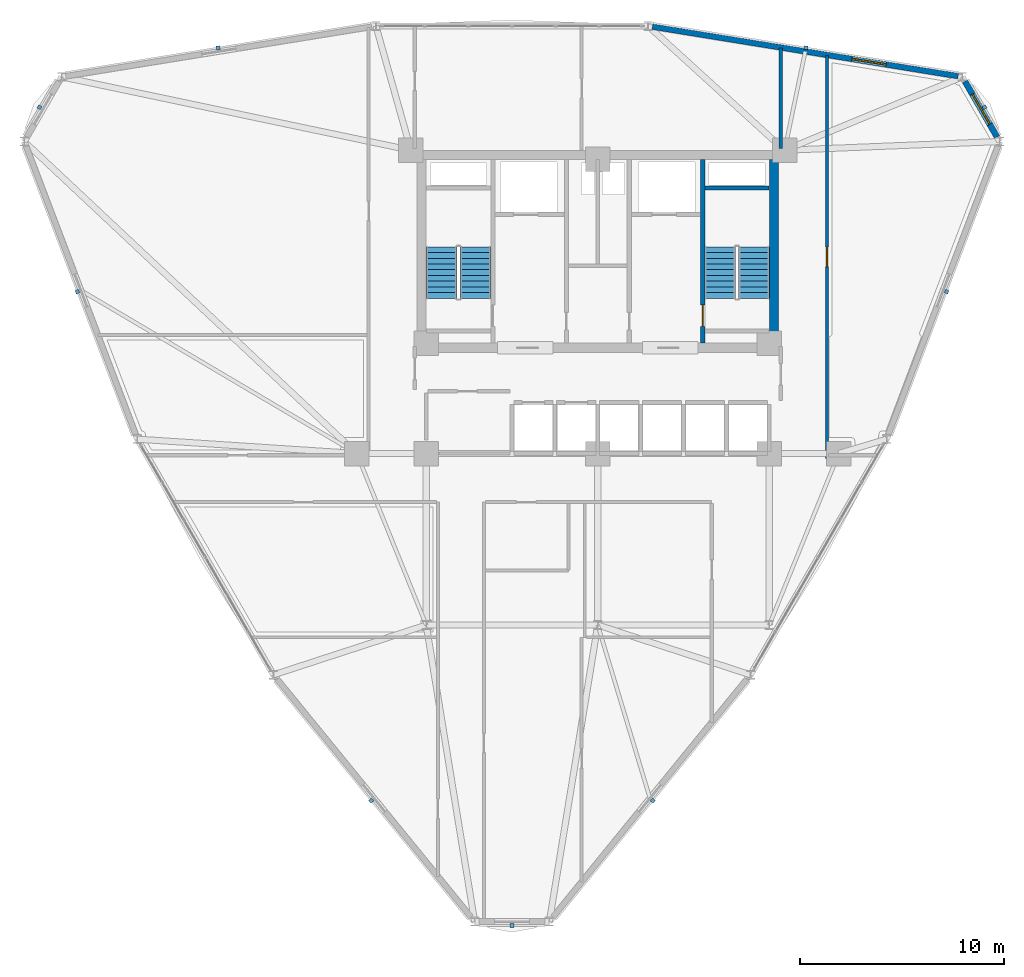
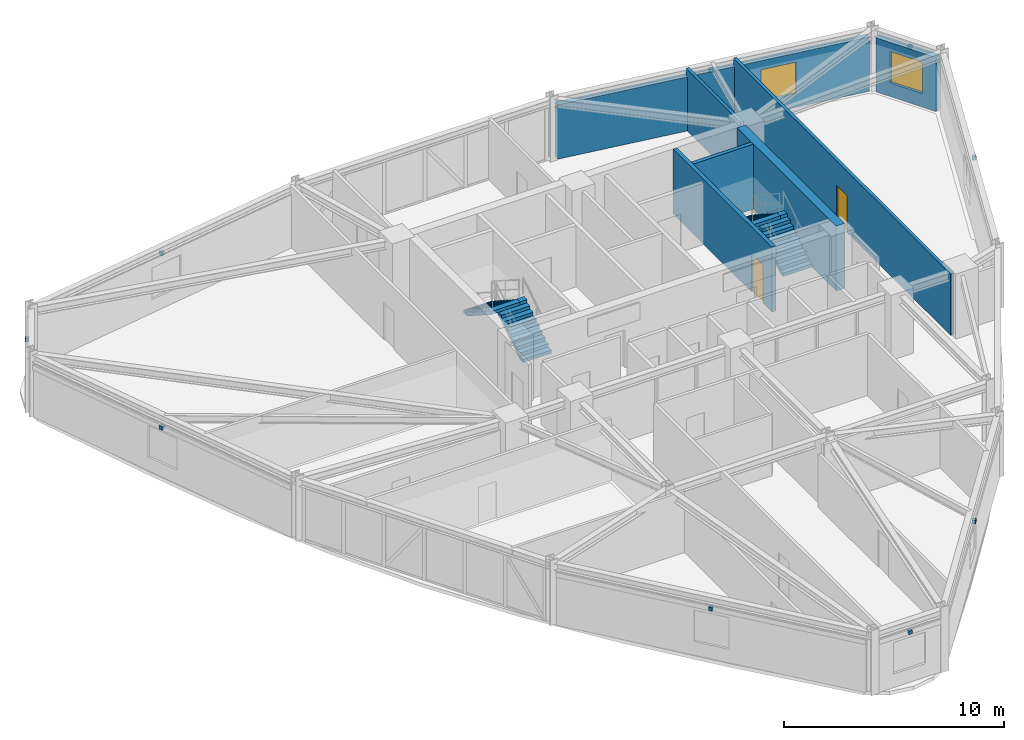
# One storey, part 14 of 18: 9 discrete accessories, 7 walls, 4 stair flights, 2 doors, 2 windows, 4 openings, 2 elements without a shape of their own.
"""IFC4 building model written with IfcOpenShell, lengths in metres."""

from ifc_helpers import new_model, si_unit, derived_unit, direction, frame, frame_2d, origin, origin_2d, place, context, subcontext, project, spatial, polyline, rectangle, outline, extrude, source, transform, mapped, material, layer, layer_set, type_object, element, fill, aggregate, save


model = new_model("IFC4")

# Units and contexts
model_context = context("Model", 3, precision=1e-05, world=origin(), true_north=direction((0.0, 1.0)))
body_context = subcontext(model_context, "Body", "Model", "MODEL_VIEW")
ifc_project = project(units=[si_unit("LENGTHUNIT", "METRE"), si_unit("AREAUNIT", "SQUARE_METRE"), si_unit("VOLUMEUNIT", "CUBIC_METRE"), si_unit("PLANEANGLEUNIT", "RADIAN"), si_unit("MASSUNIT", "GRAM", prefix="KILO"), derived_unit("THERMALTRANSMITTANCEUNIT", [(si_unit("POWERUNIT", "WATT"), 1), (si_unit("LENGTHUNIT", "METRE"), -2), (si_unit("THERMODYNAMICTEMPERATUREUNIT", "KELVIN"), -1)])], contexts=[model_context])

# Site, building, storey
site_placement = place(None, origin())
site = spatial("IfcSite", under=ifc_project, at=site_placement, CompositionType="ELEMENT")
building_placement = place(site_placement, origin())
building = spatial("IfcBuilding", under=site, at=building_placement, Name="Korsvarv Bourse and Concert Hall", CompositionType="ELEMENT")
storey_placement = place(building_placement, frame((0.0, 0.0, 139.800048828125)))
storey = spatial("IfcBuildingStorey", under=building, at=storey_placement, Name="L35", CompositionType="ELEMENT", Elevation=139.800048828125)

# Wall, opening, door
ifc_material_1 = material(Name="Concrete C50/60", Category="concrete")
ifc_layer_1 = layer(ifc_material_1, 0.3798828125)
ifc_layer_set_1 = layer_set([ifc_layer_1], Name="Concrete C50/60")
wall_type_1 = type_object("IfcWallType", Name="WL-CORE-380", PredefinedType="SHEAR", material=ifc_layer_set_1)
wall_1_placement = place(storey_placement, frame((41.139892578125, 37.81005859375, 0.0), z_axis=(0.0, 0.0, 1.0), x_axis=(0.0, 1.0, 0.0)))
wall_1 = element("IfcWall", 1, at=wall_1_placement, inside=storey, type_object=wall_type_1, Name="L35 stair shaft structural wall W-L35-ST2-W", PredefinedType="SHEAR", context=body_context, shape_type="SweptSolid", body=[
    extrude(rectangle(XDim=8.97998046875, YDim=0.199951171875, at=frame_2d((4.489990234375, 0.0))), origin(), (0.0, 0.0, 1.0), 3.599853515625),
])
opening_1_placement = place(wall_1_placement, frame((0.820068359375, 0.0, 0.0)))
opening_1 = element("IfcOpeningElement", 2, at=opening_1_placement, cuts=wall_1, Name="Opening D-01", PredefinedType="OPENING", context=body_context, shape_type="SweptSolid", body=[
    extrude(rectangle(XDim=1.050048828125, YDim=2.10009765625, at=frame_2d((0.52490234375, 1.050048828125))), frame((0.0, 0.10986328125, 0.0), z_axis=(0.0, -1.0, 0.0), x_axis=(1.0, 0.0, 0.0)), (0.0, 0.0, 1.0), 0.219970703125),
])
ifc_material_2 = material(Name="Steel S355 fire door", Category="steel")
door_type_1 = type_object("IfcDoorType", Name="DR-FD60", OperationType="NOTDEFINED", PredefinedType="DOOR", material=ifc_material_2)
door_1_placement = place(opening_1_placement, frame((1.050048828125, 0.0, 0.0), z_axis=(0.0, 0.0, 1.0), x_axis=(-1.0, 0.0, 0.0)))
door_1 = element("IfcDoor", 3, at=door_1_placement, inside=storey, type_object=door_type_1, Name="L35 interior door DR-L35-ST2", OperationType="SINGLE_SWING_RIGHT", OverallHeight=2.10009765625, OverallWidth=1.050048828125, PredefinedType="DOOR", context=body_context, shape_type="SweptSolid", body=[
    extrude(rectangle(XDim=1.050048828125, YDim=2.10009765625, at=frame_2d((0.52490234375, 1.050048828125))), frame((0.0, 0.02490234375, 0.0), z_axis=(0.0, -1.0, 0.0), x_axis=(1.0, 0.0, 0.0)), (0.0, 0.0, 1.0), 0.050048828125),
])
fill(opening_1, door_1)

# Walls
wall_2_placement = place(storey_placement, frame((41.25, 45.39990234375, 0.0), z_axis=(0.0, 0.0, 1.0), x_axis=(1.0, 0.0, 0.0)))
element("IfcWall", 4, at=wall_2_placement, inside=storey, type_object=wall_type_1, Name="L35 stair shaft structural wall W-L35-ST2-N", PredefinedType="SHEAR", context=body_context, shape_type="SweptSolid", body=[
    extrude(rectangle(XDim=3.139892578125, YDim=0.199951171875, at=frame_2d((1.56982421875, 0.0))), origin(), (0.0, 0.0, 1.0), 3.599853515625),
])
ifc_material_3 = material(Name="Concrete C55/67", Category="concrete")
ifc_layer_2 = layer(ifc_material_3, 0.449951171875)
ifc_layer_set_2 = layer_set([ifc_layer_2], Name="Concrete C55/67")
wall_type_2 = type_object("IfcWallType", Name="WL-CORE-450", PredefinedType="SHEAR", material=ifc_layer_set_2)
wall_3_placement = place(storey_placement, frame((44.625, 37.800048828125, 0.0), z_axis=(0.0, 0.0, 1.0), x_axis=(0.0, 1.0, 0.0)))
element("IfcWall", 5, at=wall_3_placement, inside=storey, type_object=wall_type_2, Name="L35 East Core Shear Wall", PredefinedType="SHEAR", context=body_context, shape_type="SweptSolid", body=[
    extrude(rectangle(XDim=9.0, YDim=0.449951171875, at=frame_2d((4.5, 0.0))), origin(), (0.0, 0.0, 1.0), 3.599853515625),
])

# Wall, opening, window
ifc_material_4 = material(Name="Precast concrete C45/55 with terracotta rainscreen", Category="concrete")
ifc_layer_3 = layer(ifc_material_4, 0.300048828125)
ifc_layer_set_3 = layer_set([ifc_layer_3], Name="Precast concrete C45/55 with terracotta rainscreen")
wall_type_3 = type_object("IfcWallType", Name="WL-EXT-TC1", PredefinedType="SOLIDWALL", material=ifc_layer_set_3)
wall_4_placement = place(storey_placement, frame((55.5576171875, 47.900390625, 0.0), z_axis=(0.0, 0.0, 1.0), x_axis=(-0.499937459732, 0.866061508414, 0.0)))
wall_4 = element("IfcWall", 6, at=wall_4_placement, inside=storey, type_object=wall_type_3, Name="L35 terracotta exterior wall EW-L35-B01", PredefinedType="SOLIDWALL", context=body_context, shape_type="SweptSolid", body=[
    extrude(rectangle(XDim=3.1455078125, YDim=0.300048828125, at=frame_2d((1.57275390625, 0.0))), origin(), (0.0, 0.0, 1.0), 3.0),
])
opening_2_placement = place(wall_4_placement, frame((0.72265625, 0.0, 0.75)))
opening_2 = element("IfcOpeningElement", 7, at=opening_2_placement, cuts=wall_4, Name="Opening W-01", PredefinedType="OPENING", context=body_context, shape_type="SweptSolid", body=[
    extrude(rectangle(XDim=1.699951171875, YDim=1.75, at=frame_2d((0.85009765625, 0.875))), frame((0.0, 0.16015625, 0.0), z_axis=(0.0, -1.0, 0.0), x_axis=(1.0, 0.0, 0.0)), (0.0, 0.0, 1.0), 0.320068359375),
])
ifc_material_5 = material(Name="Thermally broken aluminium frame with triple low-E glass", Category="glass")
window_type = type_object("IfcWindowType", Name="WIN-TW1", PartitioningType="SINGLE_PANEL", PredefinedType="WINDOW", material=ifc_material_5)
window_1_placement = place(opening_2_placement, origin())
window_1 = element("IfcWindow", 8, at=window_1_placement, inside=storey, type_object=window_type, Name="L35 punched facade window W-01", OverallHeight=1.75, OverallWidth=1.699951171875, PartitioningType="SINGLE_PANEL", PredefinedType="WINDOW", context=body_context, shape_type="SweptSolid", body=[
    extrude(rectangle(XDim=1.699951171875, YDim=1.75, at=frame_2d((0.85009765625, 0.875))), frame((0.0, 0.030029296875, 0.0), z_axis=(0.0, -1.0, 0.0), x_axis=(1.0, 0.0, 0.0)), (0.0, 0.0, 1.0), 0.06005859375),
])
fill(opening_2, window_1)

ifc_material_6 = material(Name="Precast concrete C45/55 with fluted terracotta pier", Category="concrete")
ifc_layer_4 = layer(ifc_material_6, 0.280029296875)
ifc_layer_set_4 = layer_set([ifc_layer_4], Name="Precast concrete C45/55 with fluted terracotta pier")
wall_type_4 = type_object("IfcWallType", Name="WL-EXT-TC2", PredefinedType="SOLIDWALL", material=ifc_layer_set_4)
wall_5_placement = place(storey_placement, frame((53.6455078125, 50.881103515625, 0.0), z_axis=(0.0, 0.0, 1.0), x_axis=(-0.987165905884, 0.159698072185, 0.0)))
wall_5 = element("IfcWall", 9, at=wall_5_placement, inside=storey, type_object=wall_type_4, Name="L35 terracotta exterior wall EW-L35-B02", PredefinedType="SOLIDWALL", context=body_context, shape_type="SweptSolid", body=[
    extrude(rectangle(XDim=15.165283203125, YDim=0.280029296875, at=frame_2d((7.58251953125, 0.0))), origin(), (0.0, 0.0, 1.0), 3.0),
])
opening_3_placement = place(wall_5_placement, frame((3.56640625, 0.0, 0.75)))
opening_3 = element("IfcOpeningElement", 10, at=opening_3_placement, cuts=wall_5, Name="Opening W-01", PredefinedType="OPENING", context=body_context, shape_type="SweptSolid", body=[
    extrude(rectangle(XDim=1.699951171875, YDim=1.75, at=frame_2d((0.85009765625, 0.875))), frame((0.0, 0.14990234375, 0.0), z_axis=(0.0, -1.0, 0.0), x_axis=(1.0, 0.0, 0.0)), (0.0, 0.0, 1.0), 0.300048828125),
])
window_2_placement = place(opening_3_placement, origin())
window_2 = element("IfcWindow", 11, at=window_2_placement, inside=storey, type_object=window_type, Name="L35 punched facade window W-01", OverallHeight=1.75, OverallWidth=1.699951171875, PartitioningType="SINGLE_PANEL", PredefinedType="WINDOW", context=body_context, shape_type="SweptSolid", body=[
    extrude(rectangle(XDim=1.699951171875, YDim=1.75, at=frame_2d((0.85009765625, 0.875))), frame((0.0, 0.030029296875, 0.0), z_axis=(0.0, -1.0, 0.0), x_axis=(1.0, 0.0, 0.0)), (0.0, 0.0, 1.0), 0.06005859375),
])
fill(opening_3, window_2)

# Wall, opening, door
ifc_material_7 = material(Name="Double-stud fire-rated acoustic partition", Category="gypsum")
ifc_layer_5 = layer(ifc_material_7, 0.159912109375)
ifc_layer_set_5 = layer_set([ifc_layer_5], Name="Double-stud fire-rated acoustic partition")
wall_type_5 = type_object("IfcWallType", Name="WL-INT-EI60", PredefinedType="PARTITIONING", material=ifc_layer_set_5)
wall_6_placement = place(storey_placement, frame((47.22509765625, 32.159912109375, 0.0), z_axis=(0.0, 0.0, 1.0), x_axis=(0.0, 1.0, 0.0)))
wall_6 = element("IfcWall", 12, at=wall_6_placement, inside=storey, type_object=wall_type_5, Name="L35 interior partition wall W-L35-TCOR-03", PredefinedType="PARTITIONING", context=body_context, shape_type="SweptSolid", body=[
    extrude(rectangle(XDim=19.73974609375, YDim=0.159912109375, at=frame_2d((9.869873046875, 0.0))), origin(), (0.0, 0.0, 1.0), 3.39990234375),
])
opening_4_placement = place(wall_6_placement, frame((9.39501953125, 0.0, 0.0)))
opening_4 = element("IfcOpeningElement", 13, at=opening_4_placement, cuts=wall_6, Name="Opening D-02", PredefinedType="OPENING", context=body_context, shape_type="SweptSolid", body=[
    extrude(rectangle(XDim=0.949951171875, YDim=2.050048828125, at=frame_2d((0.47509765625, 1.02490234375))), frame((0.0, 0.08984375, 0.0), z_axis=(0.0, -1.0, 0.0), x_axis=(1.0, 0.0, 0.0)), (0.0, 0.0, 1.0), 0.179931640625),
])
ifc_material_8 = material(Name="Timber and steel acoustic fire door", Category="wood")
door_type_2 = type_object("IfcDoorType", Name="DR-FD30", OperationType="NOTDEFINED", PredefinedType="DOOR", material=ifc_material_8)
door_2_placement = place(opening_4_placement, origin())
door_2 = element("IfcDoor", 14, at=door_2_placement, inside=storey, type_object=door_type_2, Name="L35 interior door DR-L35-TCOR-MI81", OperationType="SINGLE_SWING_RIGHT", OverallHeight=2.050048828125, OverallWidth=0.949951171875, PredefinedType="DOOR", context=body_context, shape_type="SweptSolid", body=[
    extrude(rectangle(XDim=0.949951171875, YDim=2.050048828125, at=frame_2d((0.47509765625, 1.02490234375))), frame((0.0, 0.02490234375, 0.0), z_axis=(0.0, -1.0, 0.0), x_axis=(1.0, 0.0, 0.0)), (0.0, 0.0, 1.0), 0.050048828125),
])
fill(opening_4, door_2)

# Wall
wall_7_placement = place(storey_placement, frame((44.965087890625, 47.340087890625, 0.0), z_axis=(0.0, 0.0, 1.0), x_axis=(0.0, 1.0, 0.0)))
element("IfcWall", 15, at=wall_7_placement, inside=storey, type_object=wall_type_5, Name="L35 interior partition wall W-L35-TCOR-10", PredefinedType="PARTITIONING", context=body_context, shape_type="SweptSolid", body=[
    extrude(rectangle(XDim=4.92529296875, YDim=0.159912109375, at=frame_2d((2.462646484375, 0.0))), origin(), (0.0, 0.0, 1.0), 3.39990234375),
])

# Stair, stair flights
ifc_material_9 = material(Name="Precast concrete C45/55", Category="concrete")
stair_type = type_object("IfcStairType", Name="STR-TYPE-04", PredefinedType="HALF_TURN_STAIR", material=ifc_material_9)
stair_1_placement = place(storey_placement, origin())
stair_1 = element("IfcStair", 16, at=stair_1_placement, inside=storey, type_object=stair_type, Name="L35 Tower West Exit Stair ST-T1", PredefinedType="HALF_TURN_STAIR")
stair_flight_type = type_object("IfcStairFlightType", Name="FLT-TYPE-04", PredefinedType="STRAIGHT", material=ifc_material_9)
stair_flight_1_placement = place(storey_placement, frame((30.010009765625, 40.0, 0.0), z_axis=(0.0, 0.0, 1.0), x_axis=(0.0, 1.0, 0.0)))
stair_flight_1 = element("IfcStairFlight", 17, at=stair_flight_1_placement, type_object=stair_flight_type, Name="ST-T1 flight 1", NumberOfRisers=10, NumberOfTreads=9, PredefinedType="STRAIGHT", RiserHeight=0.18, TreadLength=0.28, context=body_context, shape_type="SweptSolid", body=[
    extrude(outline(polyline([(0.0, 0.0), (0.0, 0.179931640625), (0.280029296875, 0.179931640625), (0.280029296875, 0.360107421875), (0.56005859375, 0.360107421875), (0.56005859375, 0.5400390625), (0.840087890625, 0.5400390625), (0.840087890625, 0.719970703125), (1.1201171875, 0.719970703125), (1.1201171875, 0.89990234375), (1.39990234375, 0.89990234375), (1.39990234375, 1.080078125), (1.679931640625, 1.080078125), (1.679931640625, 1.260009765625), (1.9599609375, 1.260009765625), (1.9599609375, 1.43994140625), (2.239990234375, 1.43994140625), (2.239990234375, 1.6201171875), (2.52001953125, 1.6201171875), (2.52001953125, 1.800048828125), (2.52001953125, 1.44189453125), (0.277099609375, 0.0), (0.0, 0.0)])), frame((0.0, 0.75, 0.0), z_axis=(0.0, -1.0, 0.0), x_axis=(1.0, 0.0, 0.0)), (0.0, 0.0, 1.0), 1.5),
])
stair_flight_2_placement = place(storey_placement, frame((28.35009765625, 42.52001953125, 1.800048828125), z_axis=(0.0, 0.0, 1.0), x_axis=(0.0, -1.0, 0.0)))
stair_flight_2 = element("IfcStairFlight", 18, at=stair_flight_2_placement, type_object=stair_flight_type, Name="ST-T1 flight 2", NumberOfRisers=10, NumberOfTreads=9, PredefinedType="STRAIGHT", RiserHeight=0.18, TreadLength=0.28, context=body_context, shape_type="SweptSolid", body=[
    extrude(outline(polyline([(0.0, 0.0), (0.0, 0.179931640625), (0.280029296875, 0.179931640625), (0.280029296875, 0.360107421875), (0.56005859375, 0.360107421875), (0.56005859375, 0.5400390625), (0.840087890625, 0.5400390625), (0.840087890625, 0.719970703125), (1.1201171875, 0.719970703125), (1.1201171875, 0.89990234375), (1.39990234375, 0.89990234375), (1.39990234375, 1.080078125), (1.679931640625, 1.080078125), (1.679931640625, 1.260009765625), (1.9599609375, 1.260009765625), (1.9599609375, 1.43994140625), (2.239990234375, 1.43994140625), (2.239990234375, 1.6201171875), (2.52001953125, 1.6201171875), (2.52001953125, 1.800048828125), (2.52001953125, 1.44189453125), (0.277099609375, 0.0), (0.0, 0.0)])), frame((0.0, 0.75, 0.0), z_axis=(0.0, -1.0, 0.0), x_axis=(1.0, 0.0, 0.0)), (0.0, 0.0, 1.0), 1.5),
])
aggregate(stair_1, [stair_flight_1, stair_flight_2])

stair_2_placement = place(storey_placement, origin())
stair_2 = element("IfcStair", 19, at=stair_2_placement, inside=storey, type_object=stair_type, Name="L35 Tower East Exit Stair ST-T2", PredefinedType="HALF_TURN_STAIR")
stair_flight_3_placement = place(storey_placement, frame((43.64990234375, 40.0, 0.0), z_axis=(0.0, 0.0, 1.0), x_axis=(0.0, 1.0, 0.0)))
stair_flight_3 = element("IfcStairFlight", 20, at=stair_flight_3_placement, type_object=stair_flight_type, Name="ST-T2 flight 1", NumberOfRisers=10, NumberOfTreads=9, PredefinedType="STRAIGHT", RiserHeight=0.18, TreadLength=0.28, context=body_context, shape_type="SweptSolid", body=[
    extrude(outline(polyline([(0.0, 0.0), (0.0, 0.179931640625), (0.280029296875, 0.179931640625), (0.280029296875, 0.360107421875), (0.56005859375, 0.360107421875), (0.56005859375, 0.5400390625), (0.840087890625, 0.5400390625), (0.840087890625, 0.719970703125), (1.1201171875, 0.719970703125), (1.1201171875, 0.89990234375), (1.39990234375, 0.89990234375), (1.39990234375, 1.080078125), (1.679931640625, 1.080078125), (1.679931640625, 1.260009765625), (1.9599609375, 1.260009765625), (1.9599609375, 1.43994140625), (2.239990234375, 1.43994140625), (2.239990234375, 1.6201171875), (2.52001953125, 1.6201171875), (2.52001953125, 1.800048828125), (2.52001953125, 1.44189453125), (0.277099609375, 0.0), (0.0, 0.0)])), frame((0.0, 0.75, 0.0), z_axis=(0.0, -1.0, 0.0), x_axis=(1.0, 0.0, 0.0)), (0.0, 0.0, 1.0), 1.5),
])
stair_flight_4_placement = place(storey_placement, frame((41.989990234375, 42.52001953125, 1.800048828125), z_axis=(0.0, 0.0, 1.0), x_axis=(0.0, -1.0, 0.0)))
stair_flight_4 = element("IfcStairFlight", 21, at=stair_flight_4_placement, type_object=stair_flight_type, Name="ST-T2 flight 2", NumberOfRisers=10, NumberOfTreads=9, PredefinedType="STRAIGHT", RiserHeight=0.18, TreadLength=0.28, context=body_context, shape_type="SweptSolid", body=[
    extrude(outline(polyline([(0.0, 0.0), (0.0, 0.179931640625), (0.280029296875, 0.179931640625), (0.280029296875, 0.360107421875), (0.56005859375, 0.360107421875), (0.56005859375, 0.5400390625), (0.840087890625, 0.5400390625), (0.840087890625, 0.719970703125), (1.1201171875, 0.719970703125), (1.1201171875, 0.89990234375), (1.39990234375, 0.89990234375), (1.39990234375, 1.080078125), (1.679931640625, 1.080078125), (1.679931640625, 1.260009765625), (1.9599609375, 1.260009765625), (1.9599609375, 1.43994140625), (2.239990234375, 1.43994140625), (2.239990234375, 1.6201171875), (2.52001953125, 1.6201171875), (2.52001953125, 1.800048828125), (2.52001953125, 1.44189453125), (0.277099609375, 0.0), (0.0, 0.0)])), frame((0.0, 0.75, 0.0), z_axis=(0.0, -1.0, 0.0), x_axis=(1.0, 0.0, 0.0)), (0.0, 0.0, 1.0), 1.5),
])
aggregate(stair_2, [stair_flight_3, stair_flight_4])

# Discrete accessories
ifc_material_10 = material(Name="Stainless Steel S355 facade outrigger bracket", Category="steel")
discrete_accessory_type = type_object("IfcDiscreteAccessoryType", Name="ACC-BRK-1", PredefinedType="BRACKET", material=ifc_material_10)
shared_shape = source(origin(), body_context, "Body", "SweptSolid", [
    extrude(rectangle(XDim=0.179931640625, YDim=0.179931640625, at=origin_2d()), origin(), (0.0, 0.0, 1.0), 0.199951171875),
])
for number, where, z_axis, x_axis, name in (
    (22, (54.935791015625, 49.357421875, 2.73974609375), (0.0, 0.0, 1.0), (-0.5, 0.866025403784, 0.0), "L35 terracotta sunshade bracket EW-L35-B01"),
    (23, (46.188720703125, 52.269775390625, 2.73974609375), (0.0, 0.0, 1.0), (-0.987164154569, 0.159708897478, 0.0), "L35 terracotta sunshade bracket EW-L35-B02"),
    (24, (17.4111328125, 52.269775390625, 2.68994140625), (0.0, 0.0, 1.0), (-0.987164154569, -0.159708897478, 0.0), "L35 terracotta sunshade bracket EW-L35-B04"),
    (25, (8.6640625, 49.357421875, 2.73974609375), (0.0, 0.0, 1.0), (-0.5, -0.866025403784, 0.0), "L35 terracotta sunshade bracket EW-L35-B05"),
    (26, (10.515625, 40.326416015625, 2.68994140625), (0.0, 0.0, 1.0), (0.355270114859, -0.934763684301, 0.0), "L35 terracotta sunshade bracket EW-L35-B06"),
    (27, (24.904296875, 15.404052734375, 2.73974609375), (0.0, 0.0, 1.0), (0.631894039711, -0.775054786824, 0.0), "L35 terracotta sunshade bracket EW-L35-B08"),
    (28, (31.800048828125, 9.284912109375, 2.73974609375), (0.0, 0.0, 1.0), (1.0, 0.0, 0.0), "L35 terracotta sunshade bracket EW-L35-B09"),
    (29, (38.695556640625, 15.404052734375, 2.73974609375), (0.0, 0.0, 1.0), (0.631894039711, 0.775054786824, 0.0), "L35 terracotta sunshade bracket EW-L35-B10"),
    (30, (53.08447265625, 40.326416015625, 2.73974609375), (0.0, 0.0, 1.0), (0.355270114859, 0.934763684301, 0.0), "L35 terracotta sunshade bracket EW-L35-B12"),
):
    element("IfcDiscreteAccessory", number, at=place(storey_placement, frame(where, z_axis=z_axis, x_axis=x_axis)), inside=storey, type_object=discrete_accessory_type, Name=name, PredefinedType="BRACKET", context=body_context, shape_type="MappedRepresentation", body=[
        mapped(shared_shape, transform((0.0, 0.0, 0.0), scale=1.0)),
    ])

save(model, "model.ifc")
